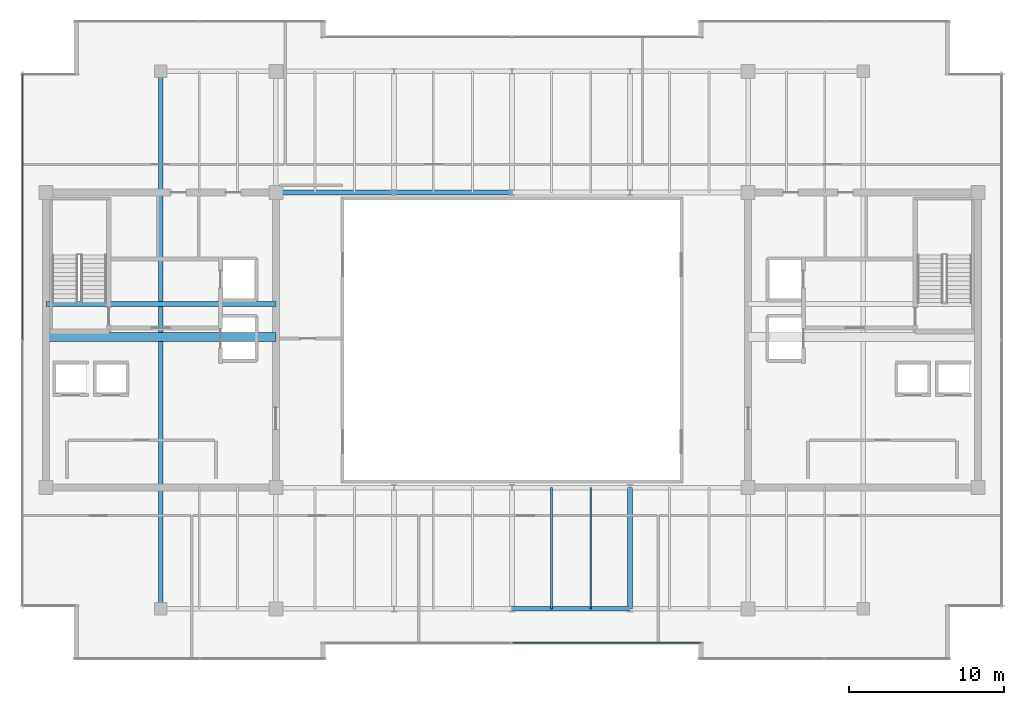
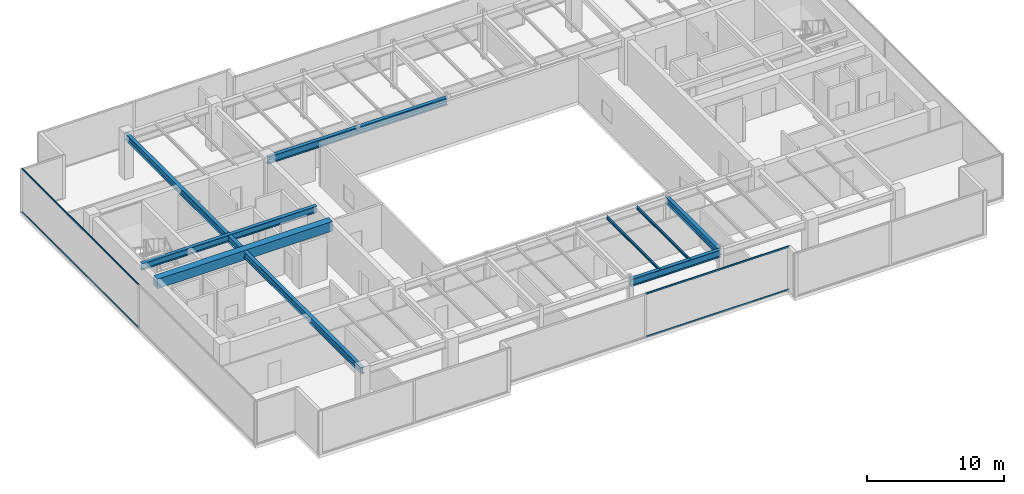
# One storey, part 11 of 31: 9 beams, 4 members, 2 elements without a shape of their own.
"""IFC4 building model written with IfcOpenShell, lengths in metres."""

from ifc_helpers import new_model, si_unit, direction, frame, origin, origin_2d, place, context, subcontext, project, spatial, rectangle, hollow_rectangle, i_section, extrude, source, transform, mapped, material, layer, layer_set, material_profile, profile_set, type_object, type_shapes, element, aggregate, save


model = new_model("IFC4")

# Units and contexts
model_context = context("Model", 3, precision=1e-05, world=origin(), true_north=direction((0.0, 1.0)))
body_context = subcontext(model_context, "Body", "Model", "MODEL_VIEW")
ifc_project = project(units=[si_unit("LENGTHUNIT", "METRE"), si_unit("AREAUNIT", "SQUARE_METRE"), si_unit("VOLUMEUNIT", "CUBIC_METRE"), si_unit("PLANEANGLEUNIT", "RADIAN"), si_unit("MASSUNIT", "GRAM", prefix="KILO")], contexts=[model_context])

# Site, building, storey
site_placement = place(None, origin())
site = spatial("IfcSite", under=ifc_project, at=site_placement, CompositionType="ELEMENT")
building_placement = place(site_placement, origin())
building = spatial("IfcBuilding", under=site, at=building_placement, Name="Haelvirn Gate Laboratories", CompositionType="ELEMENT")
storey_placement = place(building_placement, frame((0.0, 0.0, 318.60009765625)))
storey = spatial("IfcBuildingStorey", under=building, at=storey_placement, Name="L76", CompositionType="ELEMENT", Elevation=318.60009765625)

# Beams
ifc_material_1 = material(Name="Steel SM355", Category="steel")
ifc_material_profile_1 = material_profile(ifc_material_1, i_section(OverallWidth=0.300048828125, OverallDepth=0.587890625, WebThickness=0.011962890625, FlangeThickness=0.02001953125, at=origin_2d()), Name="H-588x300x12x20")
ifc_profile_set_1 = profile_set([ifc_material_profile_1], Name="Steel SM355")
beam_type_1 = type_object("IfcBeamType", Name="BM-G-588", PredefinedType="BEAM", material=ifc_profile_set_1)
shared_shape_1 = source(origin(), body_context, "Body", "SweptSolid", [
    extrude(i_section(OverallWidth=0.300048828125, OverallDepth=0.587890625, WebThickness=0.011962890625, FlangeThickness=0.02001953125, at=origin_2d()), origin(), (0.0, 0.0, 1.0), 14.800048828125),
])
beam_1_placement = place(storey_placement, frame((7.39990234375, 26.6201171875, 3.60595703125), z_axis=(1.0, 0.0, 0.0), x_axis=(0.0, 1.0, 0.0)))
element("IfcBeam", 1, at=beam_1_placement, inside=storey, type_object=beam_type_1, Name="L76 Stair ST1 Landing Header", PredefinedType="BEAM", context=body_context, shape_type="MappedRepresentation", body=[
    mapped(shared_shape_1, transform((0.0, 0.0, 0.0), scale=1.0)),
])
shared_shape_2 = source(origin(), body_context, "Body", "SweptSolid", [
    extrude(i_section(OverallWidth=0.300048828125, OverallDepth=0.587890625, WebThickness=0.011962890625, FlangeThickness=0.02001953125, at=origin_2d()), origin(), (0.0, 0.0, 1.0), 34.60009765625),
])
beam_2_placement = place(storey_placement, frame((14.800048828125, 7.0, 3.60595703125), z_axis=(0.0, 1.0, 0.0), x_axis=(-1.0, 0.0, 0.0)))
element("IfcBeam", 2, at=beam_2_placement, inside=storey, type_object=beam_type_1, Name="L76 Frame Girder X14.8 (7.0-41.6)", PredefinedType="BEAM", context=body_context, shape_type="MappedRepresentation", body=[
    mapped(shared_shape_2, transform((0.0, 0.0, 0.0), scale=1.0)),
])
shared_shape_3 = source(origin(), body_context, "Body", "SweptSolid", [
    extrude(i_section(OverallWidth=0.300048828125, OverallDepth=0.587890625, WebThickness=0.011962890625, FlangeThickness=0.02001953125, at=origin_2d()), origin(), (0.0, 0.0, 1.0), 7.800048828125),
])
type_shapes(beam_type_1, [shared_shape_1, shared_shape_2, shared_shape_3])
beam_3_placement = place(storey_placement, frame((45.0, 7.0, 3.60595703125), z_axis=(0.0, 1.0, 0.0), x_axis=(-1.0, 0.0, 0.0)))
element("IfcBeam", 3, at=beam_3_placement, inside=storey, type_object=beam_type_1, Name="L76 Frame Girder X45.0 (7.0-14.8)", PredefinedType="BEAM", context=body_context, shape_type="MappedRepresentation", body=[
    mapped(shared_shape_3, transform((0.0, 0.0, 0.0), scale=1.0)),
])
ifc_material_2 = material(Name="Concrete C50/60", Category="concrete")
ifc_material_profile_2 = material_profile(ifc_material_2, rectangle(XDim=0.60009765625, YDim=0.85009765625, at=origin_2d()), Name="RCB-600x850")
ifc_profile_set_2 = profile_set([ifc_material_profile_2], Name="Concrete C50/60")
beam_type_2 = type_object("IfcBeamType", Name="BM-RCB-850", PredefinedType="LINTEL", material=ifc_profile_set_2)
shared_shape_4 = source(origin(), body_context, "Body", "SweptSolid", [
    extrude(rectangle(XDim=0.60009765625, YDim=0.85009765625, at=origin_2d()), origin(), (0.0, 0.0, 1.0), 14.800048828125),
])
type_shapes(beam_type_2, [shared_shape_4])
beam_4_placement = place(storey_placement, frame((7.39990234375, 24.5, 3.474853515625), z_axis=(1.0, 0.0, 0.0), x_axis=(0.0, 1.0, 0.0)))
element("IfcBeam", 4, at=beam_4_placement, inside=storey, type_object=beam_type_2, Name="L76 West Core Coupling Beam", PredefinedType="LINTEL", context=body_context, shape_type="MappedRepresentation", body=[
    mapped(shared_shape_4, transform((0.0, 0.0, 0.0), scale=1.0)),
])
ifc_material_profile_3 = material_profile(ifc_material_1, i_section(OverallWidth=0.300048828125, OverallDepth=0.64990234375, WebThickness=0.012939453125, FlangeThickness=0.02197265625, at=origin_2d()), Name="H-650x300x13x22")
ifc_profile_set_3 = profile_set([ifc_material_profile_3], Name="Steel SM355")
beam_type_3 = type_object("IfcBeamType", Name="BM-G-650", PredefinedType="BEAM", material=ifc_profile_set_3)
shared_shape_5 = source(origin(), body_context, "Body", "SweptSolid", [
    extrude(i_section(OverallWidth=0.300048828125, OverallDepth=0.64990234375, WebThickness=0.012939453125, FlangeThickness=0.02197265625, at=origin_2d()), origin(), (0.0, 0.0, 1.0), 7.60009765625),
])
for number, where, z_axis, x_axis, name in (
    (5, (37.39990234375, 7.0, 3.574951171875), (1.0, 0.0, 0.0), (0.0, 1.0, 0.0), "L76 Primary Girder Y7.0 (37.4-45.0)"),
    (6, (22.199951171875, 33.800048828125, 3.574951171875), (1.0, 0.0, 0.0), (0.0, 1.0, 0.0), "L76 Primary Girder Y33.8 (22.2-29.8)"),
):
    element("IfcBeam", number, at=place(storey_placement, frame(where, z_axis=z_axis, x_axis=x_axis)), inside=storey, type_object=beam_type_3, Name=name, PredefinedType="BEAM", context=body_context, shape_type="MappedRepresentation", body=[
        mapped(shared_shape_5, transform((0.0, 0.0, 0.0), scale=1.0)),
    ])
shared_shape_6 = source(origin(), body_context, "Body", "SweptSolid", [
    extrude(i_section(OverallWidth=0.300048828125, OverallDepth=0.64990234375, WebThickness=0.012939453125, FlangeThickness=0.02197265625, at=origin_2d()), origin(), (0.0, 0.0, 1.0), 7.599853515625),
])
type_shapes(beam_type_3, [shared_shape_5, shared_shape_6])
beam_5_placement = place(storey_placement, frame((29.800048828125, 33.800048828125, 3.574951171875), z_axis=(1.0, 0.0, 0.0), x_axis=(0.0, 1.0, 0.0)))
element("IfcBeam", 7, at=beam_5_placement, inside=storey, type_object=beam_type_3, Name="L76 Primary Girder Y33.8 (29.8-37.4)", PredefinedType="BEAM", context=body_context, shape_type="MappedRepresentation", body=[
    mapped(shared_shape_6, transform((0.0, 0.0, 0.0), scale=1.0)),
])
ifc_material_profile_4 = material_profile(ifc_material_1, i_section(OverallWidth=0.125, OverallDepth=0.25, WebThickness=0.006103515625, FlangeThickness=0.009033203125, at=origin_2d()), Name="H-250x125x6x9")
ifc_profile_set_4 = profile_set([ifc_material_profile_4], Name="Steel SM355")
beam_type_4 = type_object("IfcBeamType", Name="BM-J-250", PredefinedType="JOIST", material=ifc_profile_set_4)
shared_shape_7 = source(origin(), body_context, "Body", "SweptSolid", [
    extrude(i_section(OverallWidth=0.125, OverallDepth=0.25, WebThickness=0.006103515625, FlangeThickness=0.009033203125, at=origin_2d()), origin(), (0.0, 0.0, 1.0), 7.800048828125),
])
type_shapes(beam_type_4, [shared_shape_7])
for number, where, z_axis, x_axis, name in (
    (8, (39.929931640625, 7.0, 3.77490234375), (0.0, 1.0, 0.0), (-1.0, 0.0, 0.0), "L76 Composite Lab Joist South X39.93"),
    (9, (42.469970703125, 7.0, 3.77490234375), (0.0, 1.0, 0.0), (-1.0, 0.0, 0.0), "L76 Composite Lab Joist South X42.47"),
):
    element("IfcBeam", number, at=place(storey_placement, frame(where, z_axis=z_axis, x_axis=x_axis)), inside=storey, type_object=beam_type_4, Name=name, PredefinedType="JOIST", context=body_context, shape_type="MappedRepresentation", body=[
        mapped(shared_shape_7, transform((0.0, 0.0, 0.0), scale=1.0)),
    ])

# Curtain wall, members
ifc_material_3 = material(Name="Anodised bronze unitised aluminium & triple low-E glass", Category="aluminium")
ifc_layer = layer(ifc_material_3, 0.176025390625, Name="CW-SYS-4")
ifc_layer_set = layer_set([ifc_layer], Name="Anodised bronze unitised aluminium & triple low-E glass")
curtain_wall_type = type_object("IfcCurtainWallType", Name="CW-SYS-4", PredefinedType="NOTDEFINED", material=ifc_layer_set)
curtain_wall_1_placement = place(storey_placement, origin())
curtain_wall_1 = element("IfcCurtainWall", 10, at=curtain_wall_1_placement, inside=storey, type_object=curtain_wall_type, Name="L76 Unitised Curtain Wall CW-L76-P0-E02-1", PredefinedType="NOTDEFINED")
ifc_material_4 = material(Name="Extruded aluminium 6063-T6 (anodised bronze)", Category="aluminium")
ifc_material_profile_5 = material_profile(ifc_material_4, hollow_rectangle(XDim=0.06494140625, YDim=0.139892578125, WallThickness=0.00390625, at=origin_2d()), Name="CWT-140x65x4")
ifc_profile_set_5 = profile_set([ifc_material_profile_5], Name="Extruded aluminium 6063-T6 (anodised bronze)")
member_type = type_object("IfcMemberType", Name="CWT-T140", PredefinedType="USERDEFINED", material=ifc_profile_set_5)
shared_shape_8 = source(origin(), body_context, "Body", "SweptSolid", [
    extrude(hollow_rectangle(XDim=0.06494140625, YDim=0.139892578125, WallThickness=0.00390625, at=origin_2d()), origin(), (0.0, 0.0, 1.0), 12.135009765625),
])
member_1_placement = place(storey_placement, frame((37.43505859375, 4.800048828125, 0.032470703125), z_axis=(1.0, 0.0, 0.0), x_axis=(0.0, 1.0, 0.0)))
member_1 = element("IfcMember", 11, at=member_1_placement, type_object=member_type, Name="CW4 transom 2.1", ObjectType="TRANSOM", PredefinedType="USERDEFINED", context=body_context, shape_type="MappedRepresentation", body=[
    mapped(shared_shape_8, transform((0.0, 0.0, 0.0), scale=1.0)),
])
member_2_placement = place(storey_placement, frame((37.43505859375, 4.800048828125, 3.867431640625), z_axis=(1.0, 0.0, 0.0), x_axis=(0.0, 1.0, 0.0)))
member_2 = element("IfcMember", 12, at=member_2_placement, type_object=member_type, Name="CW4 transom 2.2", ObjectType="TRANSOM", PredefinedType="USERDEFINED", context=body_context, shape_type="MappedRepresentation", body=[
    mapped(shared_shape_8, transform((0.0, 0.0, 0.0), scale=1.0)),
])
aggregate(curtain_wall_1, [member_1, member_2])

curtain_wall_2_placement = place(storey_placement, origin())
curtain_wall_2 = element("IfcCurtainWall", 13, at=curtain_wall_2_placement, inside=storey, type_object=curtain_wall_type, Name="L76 Unitised Curtain Wall CW-L76-P0-E17", PredefinedType="NOTDEFINED")
shared_shape_9 = source(origin(), body_context, "Body", "SweptSolid", [
    extrude(hollow_rectangle(XDim=0.06494140625, YDim=0.139892578125, WallThickness=0.00390625, at=origin_2d()), origin(), (0.0, 0.0, 1.0), 17.094970703125),
])
type_shapes(member_type, [shared_shape_8, shared_shape_9])
member_3_placement = place(storey_placement, frame((5.89990234375, 41.429931640625, 0.032470703125), z_axis=(0.0, -1.0, 0.0), x_axis=(1.0, 0.0, 0.0)))
member_3 = element("IfcMember", 14, at=member_3_placement, type_object=member_type, Name="CW4 transom 1.1", ObjectType="TRANSOM", PredefinedType="USERDEFINED", context=body_context, shape_type="MappedRepresentation", body=[
    mapped(shared_shape_9, transform((0.0, 0.0, 0.0), scale=1.0)),
])
member_4_placement = place(storey_placement, frame((5.89990234375, 41.429931640625, 3.867431640625), z_axis=(0.0, -1.0, 0.0), x_axis=(1.0, 0.0, 0.0)))
member_4 = element("IfcMember", 15, at=member_4_placement, type_object=member_type, Name="CW4 transom 1.2", ObjectType="TRANSOM", PredefinedType="USERDEFINED", context=body_context, shape_type="MappedRepresentation", body=[
    mapped(shared_shape_9, transform((0.0, 0.0, 0.0), scale=1.0)),
])
aggregate(curtain_wall_2, [member_3, member_4])

save(model, "model.ifc")
